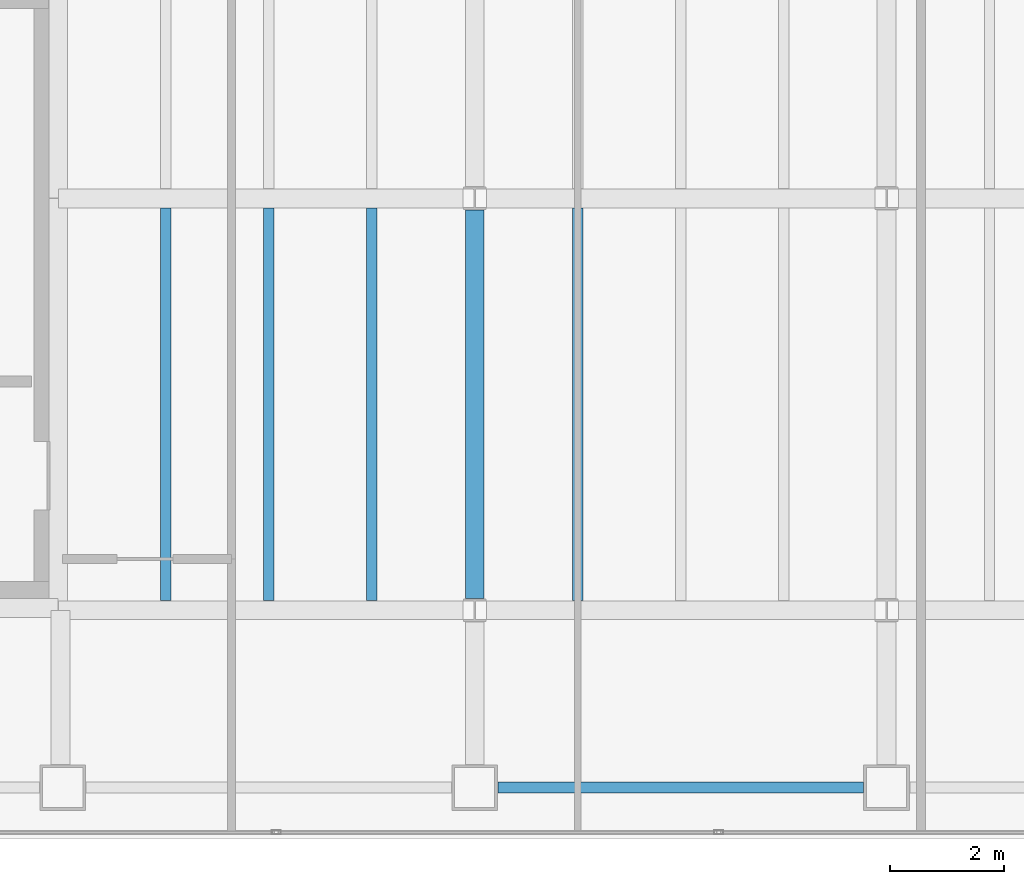
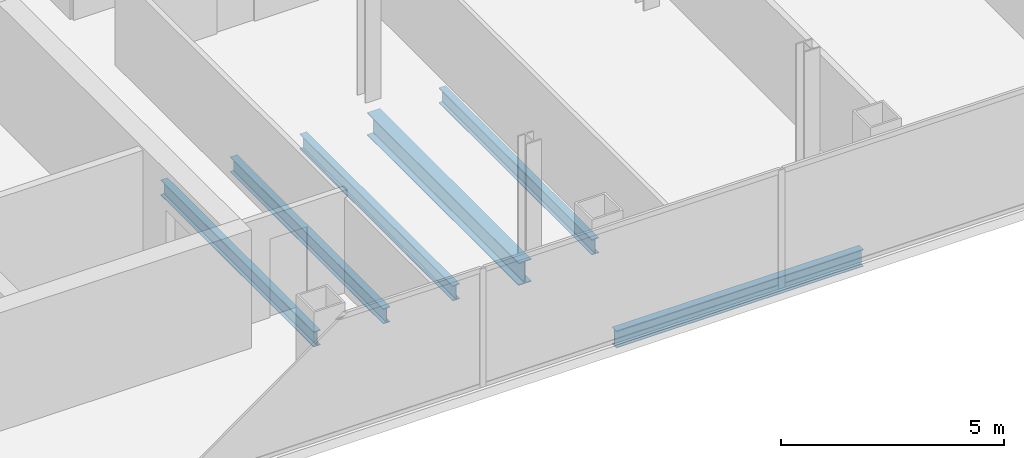
# One storey, part 5 of 23: 6 beams.
"""IFC4 building model written with IfcOpenShell, lengths in metres."""

from ifc_helpers import new_model, si_unit, direction, frame, origin, origin_2d, place, context, subcontext, project, spatial, i_section, extrude, material, material_profile, profile_set, type_object, element, save


model = new_model("IFC4")

# Units and contexts
model_context = context("Model", 3, precision=1e-05, world=origin(), true_north=direction((0.0, 1.0)))
body_context = subcontext(model_context, "Body", "Model", "MODEL_VIEW")
ifc_project = project(units=[si_unit("LENGTHUNIT", "METRE"), si_unit("AREAUNIT", "SQUARE_METRE"), si_unit("VOLUMEUNIT", "CUBIC_METRE"), si_unit("PLANEANGLEUNIT", "RADIAN"), si_unit("MASSUNIT", "GRAM", prefix="KILO")], contexts=[model_context])

# Site, building, storey
site_placement = place(None, origin())
site = spatial("IfcSite", under=ifc_project, at=site_placement, CompositionType="ELEMENT")
building_placement = place(site_placement, origin())
building = spatial("IfcBuilding", under=site, at=building_placement, Name="Cobrela Telecom Tower", CompositionType="ELEMENT")
storey_placement = place(building_placement, frame((0.0, 0.0, 190.75)))
storey = spatial("IfcBuildingStorey", under=building, at=storey_placement, Name="L48", CompositionType="ELEMENT", Elevation=190.75)

# Beams
ifc_material = material(Name="Steel ASTM A992 Grade 50", Category="steel")
ifc_material_profile_1 = material_profile(ifc_material, i_section(OverallWidth=0.327880859375, OverallDepth=0.6220703125, WebThickness=0.015380859375, FlangeThickness=0.0244140625, FilletRadius=0.014892578125, at=origin_2d()), Name="W24X131")
ifc_profile_set_1 = profile_set([ifc_material_profile_1], Name="Steel ASTM A992 Grade 50")
beam_type_1 = type_object("IfcBeamType", Name="BM-GIRD-06", PredefinedType="USERDEFINED", material=ifc_profile_set_1)
beam_1_placement = place(storey_placement, frame((21.60009765625, 7.404541015625, -0.571044921875), z_axis=(0.0, 1.0, 0.0), x_axis=(-1.0, 0.0, 0.0)))
element("IfcBeam", 1, at=beam_1_placement, inside=storey, type_object=beam_type_1, Name="L48 Primary Girder Y33", ObjectType="GIRDER", PredefinedType="USERDEFINED", context=body_context, shape_type="SweptSolid", body=[
    extrude(i_section(OverallWidth=0.327880859375, OverallDepth=0.6220703125, WebThickness=0.015380859375, FlangeThickness=0.0244140625, FilletRadius=0.014892578125, at=origin_2d()), origin(), (0.0, 0.0, 1.0), 6.791015625),
])
ifc_material_profile_2 = material_profile(ifc_material, i_section(OverallWidth=0.179931640625, OverallDepth=0.4169921875, WebThickness=0.010986328125, FlangeThickness=0.01806640625, FilletRadius=0.011962890625, at=origin_2d()), Name="W16X57")
ifc_profile_set_2 = profile_set([ifc_material_profile_2], Name="Steel ASTM A992 Grade 50")
beam_type_2 = type_object("IfcBeamType", Name="BM-JOIST-04", PredefinedType="JOIST", material=ifc_profile_set_2)
for number, where, z_axis, x_axis, name in (
    (2, (16.199951171875, 7.368896484375, -0.468505859375), (0.0, 1.0, 0.0), (-1.0, 0.0, 0.0), "L48 Secondary Composite Floor Beam J01"),
    (3, (18.0, 7.368896484375, -0.468505859375), (0.0, 1.0, 0.0), (-1.0, 0.0, 0.0), "L48 Secondary Composite Floor Beam J05"),
    (4, (19.800048828125, 7.368896484375, -0.468505859375), (0.0, 1.0, 0.0), (-1.0, 0.0, 0.0), "L48 Secondary Composite Floor Beam J09"),
    (5, (23.39990234375, 7.368896484375, -0.468505859375), (0.0, 1.0, 0.0), (-1.0, 0.0, 0.0), "L48 Secondary Composite Floor Beam J13"),
):
    element("IfcBeam", number, at=place(storey_placement, frame(where, z_axis=z_axis, x_axis=x_axis)), inside=storey, type_object=beam_type_2, Name=name, PredefinedType="JOIST", context=body_context, shape_type="SweptSolid", body=[
        extrude(i_section(OverallWidth=0.179931640625, OverallDepth=0.4169921875, WebThickness=0.010986328125, FlangeThickness=0.01806640625, FilletRadius=0.011962890625, at=origin_2d()), origin(), (0.0, 0.0, 1.0), 6.862060546875),
    ])
ifc_material_profile_3 = material_profile(ifc_material, i_section(OverallWidth=0.193115234375, OverallDepth=0.467041015625, WebThickness=0.011474609375, FlangeThickness=0.01904296875, FilletRadius=0.012939453125, at=origin_2d()), Name="W18X65")
ifc_profile_set_3 = profile_set([ifc_material_profile_3], Name="Steel ASTM A992 Grade 50")
beam_type_3 = type_object("IfcBeamType", Name="BM-SPAND-05", PredefinedType="SPANDREL", material=ifc_profile_set_3)
beam_2_placement = place(storey_placement, frame((22.0048828125, 4.10009765625, -0.493408203125), z_axis=(1.0, 0.0, 0.0), x_axis=(0.0, 1.0, 0.0)))
element("IfcBeam", 6, at=beam_2_placement, inside=storey, type_object=beam_type_3, Name="L48 Perimeter Spandrel X03", PredefinedType="SPANDREL", context=body_context, shape_type="SweptSolid", body=[
    extrude(i_section(OverallWidth=0.193115234375, OverallDepth=0.467041015625, WebThickness=0.011474609375, FlangeThickness=0.01904296875, FilletRadius=0.012939453125, at=origin_2d()), origin(), (0.0, 0.0, 1.0), 6.39013671875),
])

save(model, "model.ifc")
